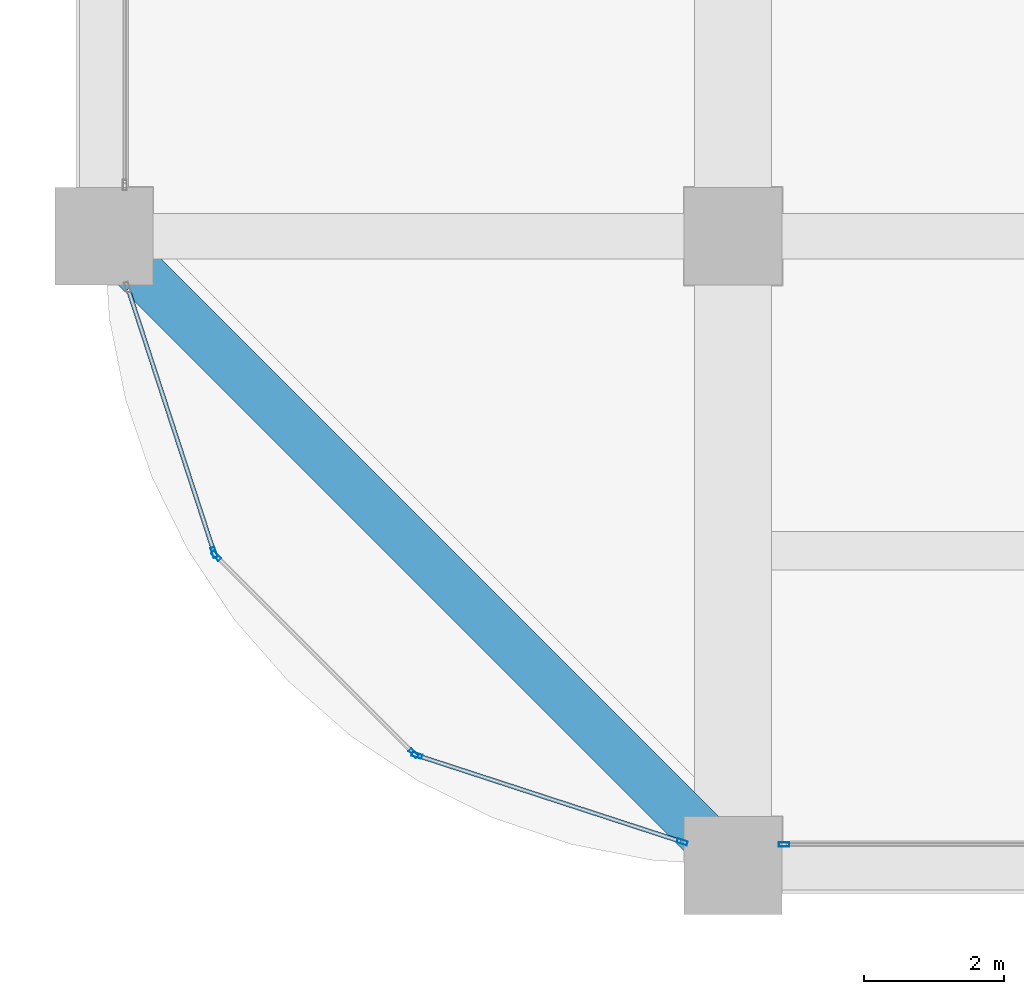
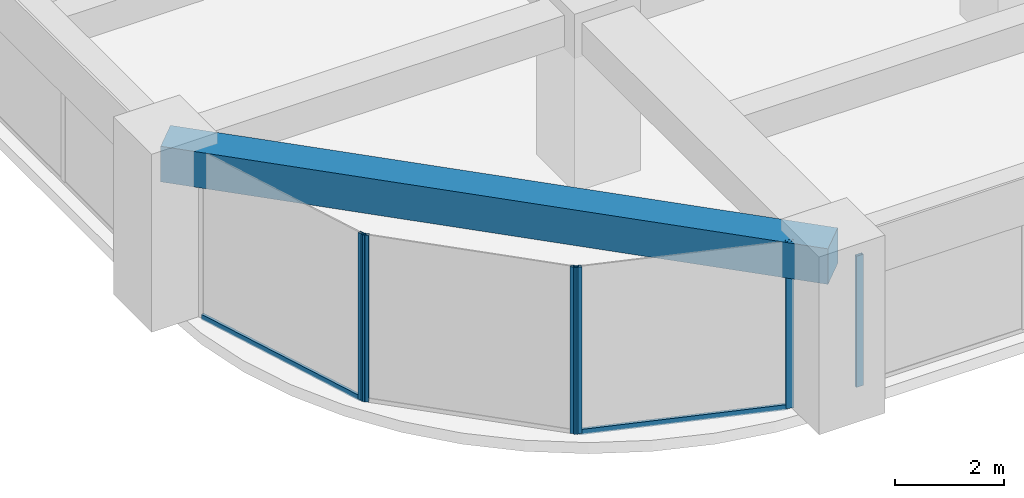
# One storey, part 2 of 32: 8 members, 1 beam, 4 elements without a shape of their own.
"""IFC4 building model written with IfcOpenShell, lengths in metres."""

from ifc_helpers import new_model, si_unit, direction, frame, origin, origin_2d, place, context, subcontext, project, spatial, rectangle, hollow_rectangle, extrude, material, material_profile, profile_set, type_object, element, aggregate, save


model = new_model("IFC4")

# Units and contexts
model_context = context("Model", 3, precision=1e-05, world=origin(), true_north=direction((0.0, 1.0)))
body_context = subcontext(model_context, "Body", "Model", "MODEL_VIEW")
ifc_project = project(units=[si_unit("LENGTHUNIT", "METRE"), si_unit("AREAUNIT", "SQUARE_METRE"), si_unit("VOLUMEUNIT", "CUBIC_METRE"), si_unit("PLANEANGLEUNIT", "RADIAN"), si_unit("MASSUNIT", "GRAM", prefix="KILO")], contexts=[model_context])

# Site, building, storey
site_placement = place(None, origin())
site = spatial("IfcSite", under=ifc_project, at=site_placement, CompositionType="ELEMENT")
building_placement = place(site_placement, origin())
building = spatial("IfcBuilding", under=site, at=building_placement, Name="Zorevar Civic Tower", CompositionType="ELEMENT")
storey_placement = place(building_placement, frame((0.0, 0.0, 202.199951171875)))
storey = spatial("IfcBuildingStorey", under=building, at=storey_placement, Name="L49", CompositionType="ELEMENT", Elevation=202.199951171875)

# Curtain wall, member
ifc_material_1 = material(Name="Dark grey solar-control glass in black aluminium frame", Category="aluminium")
curtain_wall_type = type_object("IfcCurtainWallType", Name="Curtain wall CW4 high zone", PredefinedType="NOTDEFINED", material=ifc_material_1)
curtain_wall_1_placement = place(storey_placement, origin())
curtain_wall_1 = element("IfcCurtainWall", 1, at=curtain_wall_1_placement, inside=storey, type_object=curtain_wall_type, Name="CW4 L49", PredefinedType="NOTDEFINED")
ifc_material_2 = material(Name="Aluminium, black anodised", Category="aluminium")
ifc_material_profile_1 = material_profile(ifc_material_2, hollow_rectangle(XDim=0.06005859375, YDim=0.14990234375, WallThickness=0.00390625, at=origin_2d()), Name="AL 150x60x4")
ifc_profile_set_1 = profile_set([ifc_material_profile_1], Name="Aluminium, black anodised")
member_type_1 = type_object("IfcMemberType", Name="CW4 mullion AL 150x60x4", PredefinedType="MULLION", material=ifc_profile_set_1)
member_1_placement = place(storey_placement, frame((9.72998046875, 0.300048828125, 0.0), z_axis=(0.0, 0.0, 1.0), x_axis=(0.0, 1.0, 0.0)))
member_1 = element("IfcMember", 2, at=member_1_placement, type_object=member_type_1, Name="CW4 mullion 1", PredefinedType="MULLION", context=body_context, shape_type="SweptSolid", body=[
    extrude(hollow_rectangle(XDim=0.06005859375, YDim=0.14990234375, WallThickness=0.00390625, at=origin_2d()), origin(), (0.0, 0.0, 1.0), 2.949951171875),
])
aggregate(curtain_wall_1, [member_1])

curtain_wall_2_placement = place(storey_placement, origin())
curtain_wall_2 = element("IfcCurtainWall", 3, at=curtain_wall_2_placement, inside=storey, type_object=curtain_wall_type, Name="CW4 L49", PredefinedType="NOTDEFINED")
member_2_placement = place(storey_placement, frame((1.57568359375, 4.477783203125, 0.0), z_axis=(0.0, 0.0, 1.0), x_axis=(0.950644749916, 0.310281419775, 0.0)))
member_2 = element("IfcMember", 4, at=member_2_placement, type_object=member_type_1, Name="CW4 mullion 2", PredefinedType="MULLION", context=body_context, shape_type="SweptSolid", body=[
    extrude(hollow_rectangle(XDim=0.06005859375, YDim=0.14990234375, WallThickness=0.00390625, at=origin_2d()), origin(), (0.0, 0.0, 1.0), 3.75),
])

# Curtain wall, members
curtain_wall_3_placement = place(storey_placement, origin())
curtain_wall_3 = element("IfcCurtainWall", 5, at=curtain_wall_3_placement, inside=storey, type_object=curtain_wall_type, Name="CW4 L49", PredefinedType="NOTDEFINED")
member_3_placement = place(storey_placement, frame((1.606201171875, 4.427978515625, 0.0), z_axis=(0.0, 0.0, 1.0), x_axis=(0.707106781187, 0.707106781187, 0.0)))
member_3 = element("IfcMember", 6, at=member_3_placement, type_object=member_type_1, Name="CW4 mullion 1", PredefinedType="MULLION", context=body_context, shape_type="SweptSolid", body=[
    extrude(hollow_rectangle(XDim=0.06005859375, YDim=0.14990234375, WallThickness=0.00390625, at=origin_2d()), origin(), (0.0, 0.0, 1.0), 3.75),
])
member_4_placement = place(storey_placement, frame((4.427978515625, 1.606201171875, 0.0), z_axis=(0.0, 0.0, 1.0), x_axis=(0.707106781187, 0.707106781187, 0.0)))
member_4 = element("IfcMember", 7, at=member_4_placement, type_object=member_type_1, Name="CW4 mullion 2", PredefinedType="MULLION", context=body_context, shape_type="SweptSolid", body=[
    extrude(hollow_rectangle(XDim=0.06005859375, YDim=0.14990234375, WallThickness=0.00390625, at=origin_2d()), origin(), (0.0, 0.0, 1.0), 3.75),
])
aggregate(curtain_wall_3, [member_3, member_4])

curtain_wall_4_placement = place(storey_placement, origin())
curtain_wall_4 = element("IfcCurtainWall", 8, at=curtain_wall_4_placement, inside=storey, type_object=curtain_wall_type, Name="CW4 L49", PredefinedType="NOTDEFINED")
member_5_placement = place(storey_placement, frame((4.477783203125, 1.57568359375, 0.0), z_axis=(0.0, 0.0, 1.0), x_axis=(0.310281419775, 0.950644749916, 0.0)))
member_5 = element("IfcMember", 9, at=member_5_placement, type_object=member_type_1, Name="CW4 mullion 1", PredefinedType="MULLION", context=body_context, shape_type="SweptSolid", body=[
    extrude(hollow_rectangle(XDim=0.06005859375, YDim=0.14990234375, WallThickness=0.00390625, at=origin_2d()), origin(), (0.0, 0.0, 1.0), 3.75),
])
member_6_placement = place(storey_placement, frame((8.271484375, 0.337646484375, 0.0), z_axis=(0.0, 0.0, 1.0), x_axis=(0.310281419775, 0.950644749916, 0.0)))
member_6 = element("IfcMember", 10, at=member_6_placement, type_object=member_type_1, Name="CW4 mullion 2", PredefinedType="MULLION", context=body_context, shape_type="SweptSolid", body=[
    extrude(hollow_rectangle(XDim=0.06005859375, YDim=0.14990234375, WallThickness=0.00390625, at=origin_2d()), origin(), (0.0, 0.0, 1.0), 3.75),
])

# Member
ifc_material_3 = material(Name="Aluminium, black anodised", Category="aluminium")
ifc_material_profile_2 = material_profile(ifc_material_3, hollow_rectangle(XDim=0.06005859375, YDim=0.1201171875, WallThickness=0.0029296875, at=origin_2d()), Name="AL 120x60x3")
ifc_profile_set_2 = profile_set([ifc_material_profile_2], Name="Aluminium, black anodised")
member_type_2 = type_object("IfcMemberType", Name="CW4 transom AL 120x60x3", PredefinedType="USERDEFINED", material=ifc_profile_set_2)
member_7_placement = place(storey_placement, frame((0.346923828125, 8.242919921875, 0.030029296875), z_axis=(0.31025859143, -0.950652200568, 0.0), x_axis=(0.950652200568, 0.31025859143, 0.0)))
member_7 = element("IfcMember", 11, at=member_7_placement, type_object=member_type_2, Name="CW4 sill transom", ObjectType="TRANSOM", PredefinedType="USERDEFINED", context=body_context, shape_type="SweptSolid", body=[
    extrude(hollow_rectangle(XDim=0.06005859375, YDim=0.1201171875, WallThickness=0.0029296875, at=origin_2d()), origin(), (0.0, 0.0, 1.0), 3.930419921875),
])

aggregate(curtain_wall_2, [member_2, member_7])

member_8_placement = place(storey_placement, frame((4.50634765625, 1.56640625, 0.030029296875), z_axis=(0.950652200568, -0.31025859143, 0.0), x_axis=(0.31025859143, 0.950652200568, 0.0)))
member_8 = element("IfcMember", 12, at=member_8_placement, type_object=member_type_2, Name="CW4 sill transom", ObjectType="TRANSOM", PredefinedType="USERDEFINED", context=body_context, shape_type="SweptSolid", body=[
    extrude(hollow_rectangle(XDim=0.06005859375, YDim=0.1201171875, WallThickness=0.0029296875, at=origin_2d()), origin(), (0.0, 0.0, 1.0), 3.930419921875),
])

aggregate(curtain_wall_4, [member_5, member_6, member_8])

# Beam
ifc_material_4 = material(Name="Concrete C50/60", Category="concrete")
ifc_material_profile_3 = material_profile(ifc_material_4, rectangle(XDim=0.699951171875, YDim=0.800048828125, at=origin_2d()), Name="RC 700x800")
ifc_profile_set_3 = profile_set([ifc_material_profile_3], Name="Concrete C50/60")
beam_type = type_object("IfcBeamType", Name="Edge beam RC 700x800", PredefinedType="SPANDREL", material=ifc_profile_set_3)
beam_placement = place(storey_placement, frame((0.0, 9.0, 3.35009765625), z_axis=(0.707106781187, -0.707106781187, 0.0), x_axis=(0.707106781187, 0.707106781187, 0.0)))
element("IfcBeam", 13, at=beam_placement, inside=storey, type_object=beam_type, Name="Corner edge beam L50", PredefinedType="SPANDREL", context=body_context, shape_type="SweptSolid", body=[
    extrude(rectangle(XDim=0.699951171875, YDim=0.800048828125, at=origin_2d()), origin(), (0.0, 0.0, 1.0), 12.72802734375),
])

save(model, "model.ifc")
